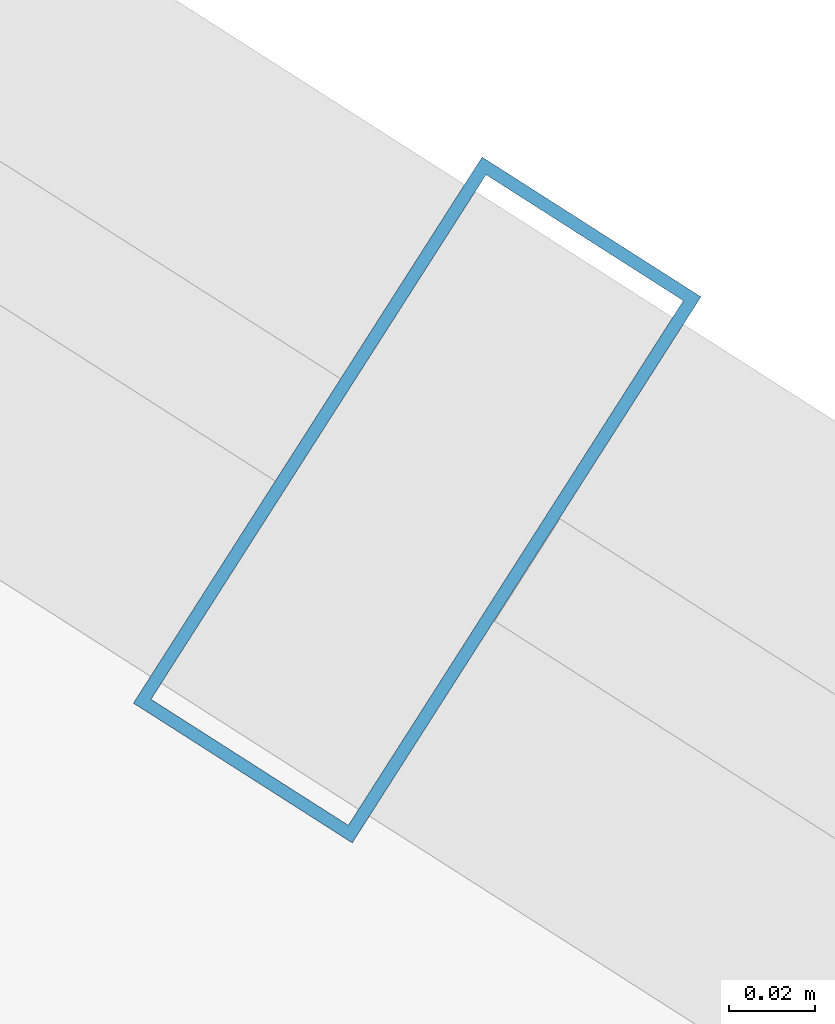
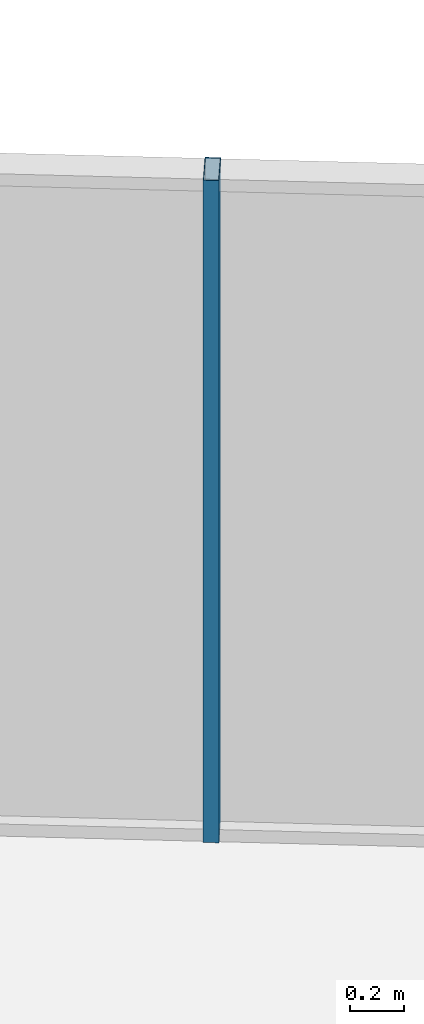
# One storey, part 21 of 29: 1 member, 1 element without a shape of its own.
"""IFC4 building model written with IfcOpenShell, lengths in metres."""

from ifc_helpers import new_model, si_unit, direction, frame, origin, origin_2d, place, context, subcontext, project, spatial, hollow_rectangle, extrude, source, transform, mapped, material, layer, layer_set, material_profile, profile_set, type_object, element, aggregate, save


model = new_model("IFC4")

# Units and contexts
model_context = context("Model", 3, precision=1e-05, world=origin(), true_north=direction((0.0, 1.0)))
body_context = subcontext(model_context, "Body", "Model", "MODEL_VIEW")
ifc_project = project(units=[si_unit("LENGTHUNIT", "METRE"), si_unit("AREAUNIT", "SQUARE_METRE"), si_unit("VOLUMEUNIT", "CUBIC_METRE"), si_unit("PLANEANGLEUNIT", "RADIAN"), si_unit("MASSUNIT", "GRAM", prefix="KILO")], contexts=[model_context])

# Site, building, storey
site_placement = place(None, origin())
site = spatial("IfcSite", under=ifc_project, at=site_placement, CompositionType="ELEMENT")
building_placement = place(site_placement, origin())
building = spatial("IfcBuilding", under=site, at=building_placement, Name="Veraguas Prism Commons", CompositionType="ELEMENT")
storey_placement = place(building_placement, frame((0.0, 0.0, 215.64990234375)))
storey = spatial("IfcBuildingStorey", under=building, at=storey_placement, Name="L61", CompositionType="ELEMENT", Elevation=215.64990234375)

# Curtain wall, member
ifc_material = material(Name="Anodised aluminium EN AW-6063 T6", Category="aluminium")
ifc_layer = layer(ifc_material, 0.14990234375, Name="Unitised Flush Curtain Wall Zone 3", Category="aluminium")
ifc_layer_set = layer_set([ifc_layer], Name="Anodised aluminium EN AW-6063 T6")
curtain_wall_type = type_object("IfcCurtainWallType", Name="Unitised Flush Curtain Wall Zone 3", PredefinedType="NOTDEFINED", material=ifc_layer_set)
curtain_wall_placement = place(storey_placement, origin())
curtain_wall = element("IfcCurtainWall", 1, at=curtain_wall_placement, inside=storey, type_object=curtain_wall_type, Name="Tower Facade Curtain Wall L61-F1", PredefinedType="NOTDEFINED")
ifc_material_profile = material_profile(ifc_material, hollow_rectangle(XDim=0.06005859375, YDim=0.14990234375, WallThickness=0.0029296875, at=origin_2d()), Name="AL60X150X3")
ifc_profile_set = profile_set([ifc_material_profile], Name="Anodised aluminium EN AW-6063 T6")
member_type = type_object("IfcMemberType", Name="Curtain Wall Mullion Upper AL 60x150x3", PredefinedType="MULLION", material=ifc_profile_set)
shared_shape = source(origin(), body_context, "Body", "SweptSolid", [
    extrude(hollow_rectangle(XDim=0.06005859375, YDim=0.14990234375, WallThickness=0.0029296875, at=origin_2d()), origin(), (0.0, 0.0, 1.0), 3.01513671875),
])
member_placement = place(storey_placement, frame((33.53125, 38.9267578125, 0.0), z_axis=(0.0, 0.0, 1.0), x_axis=(-0.842828324641, 0.538182511035, 0.0)))
member = element("IfcMember", 2, at=member_placement, type_object=member_type, Name="CW-Z3 Mullion 3", PredefinedType="MULLION", context=body_context, shape_type="MappedRepresentation", body=[
    mapped(shared_shape, transform((0.0, 0.0, 0.0), scale=1.0)),
])
aggregate(curtain_wall, [member])

save(model, "model.ifc")
